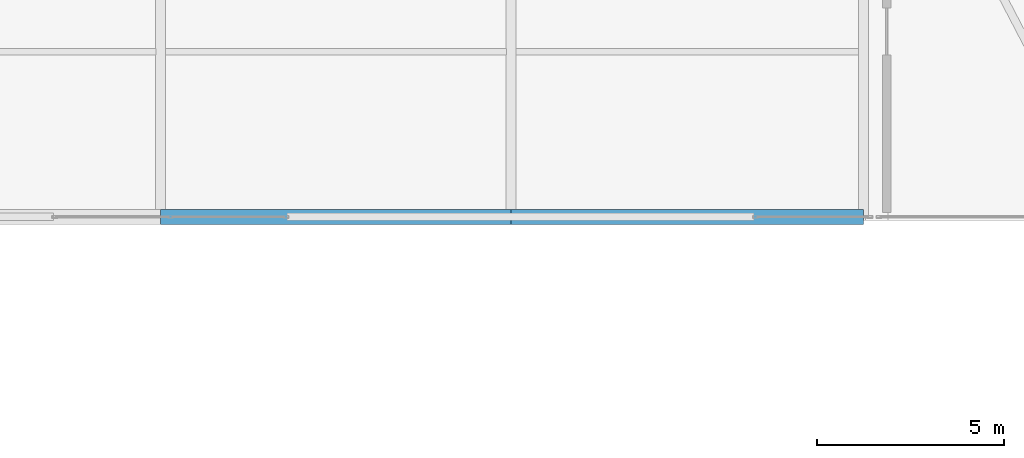
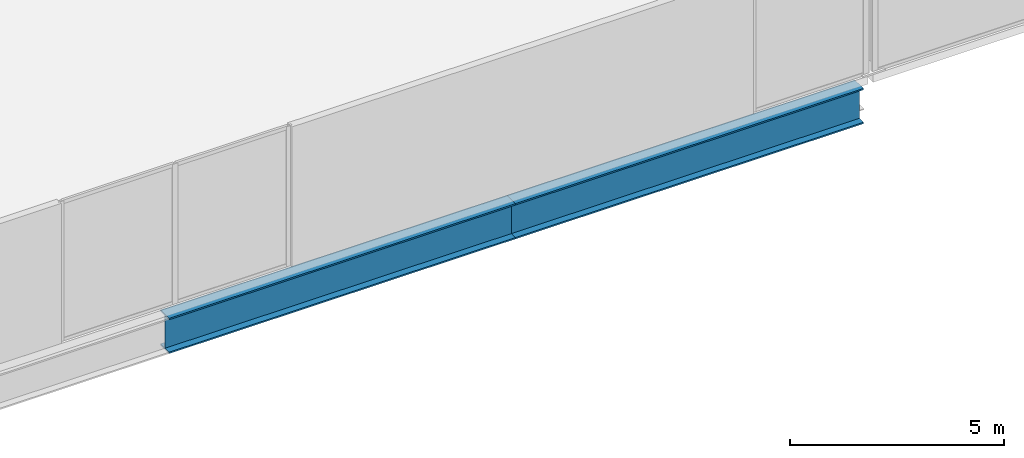
# One storey, part 20 of 51: 2 beams.
"""IFC4 building model written with IfcOpenShell, lengths in metres."""

from ifc_helpers import new_model, si_unit, direction, frame, origin, origin_2d, place, context, subcontext, project, spatial, i_section, extrude, material, material_profile, profile_set, type_object, element, save


model = new_model("IFC4")

# Units and contexts
model_context = context("Model", 3, precision=1e-05, world=origin(), true_north=direction((0.0, 1.0)))
body_context = subcontext(model_context, "Body", "Model", "MODEL_VIEW")
ifc_project = project(units=[si_unit("LENGTHUNIT", "METRE"), si_unit("AREAUNIT", "SQUARE_METRE"), si_unit("VOLUMEUNIT", "CUBIC_METRE"), si_unit("PLANEANGLEUNIT", "RADIAN"), si_unit("MASSUNIT", "GRAM", prefix="KILO")], contexts=[model_context])

# Site, building, storey
site_placement = place(None, origin())
site = spatial("IfcSite", under=ifc_project, at=site_placement, CompositionType="ELEMENT")
building_placement = place(site_placement, origin())
building = spatial("IfcBuilding", under=site, at=building_placement, Name="Tashvorn Skyway Center", CompositionType="ELEMENT")
storey_placement = place(building_placement, frame((0.0, 0.0, 251.39990234375)))
storey = spatial("IfcBuildingStorey", under=building, at=storey_placement, Name="L68", CompositionType="ELEMENT", Elevation=251.39990234375)

# Beams
ifc_material = material(Name="Steel ASTM A913 Grade 65", Category="steel")
ifc_material_profile = material_profile(ifc_material, i_section(OverallWidth=0.40087890625, OverallDepth=1.010986328125, WebThickness=0.023681640625, FlangeThickness=0.0419921875, at=origin_2d()), Name="W40X297")
ifc_profile_set = profile_set([ifc_material_profile], Name="Steel ASTM A913 Grade 65")
beam_type = type_object("IfcBeamType", Name="BM-BEAM-W40X297", PredefinedType="BEAM", material=ifc_profile_set)
beam_1_placement = place(storey_placement, frame((75.75, 24.10009765625, -0.725341796875), z_axis=(1.0, 0.0, 0.0), x_axis=(0.0, 1.0, 0.0)))
element("IfcBeam", 1, at=beam_1_placement, inside=storey, type_object=beam_type, Name="Sky-Park Truss 1 Bottom Chord Panel 08", PredefinedType="BEAM", context=body_context, shape_type="SweptSolid", body=[
    extrude(i_section(OverallWidth=0.40087890625, OverallDepth=1.010986328125, WebThickness=0.023681640625, FlangeThickness=0.0419921875, at=origin_2d()), origin(), (0.0, 0.0, 1.0), 9.35009765625),
])
beam_2_placement = place(storey_placement, frame((85.10009765625, 24.10009765625, -0.725341796875), z_axis=(1.0, 0.0, 0.0), x_axis=(0.0, 1.0, 0.0)))
element("IfcBeam", 2, at=beam_2_placement, inside=storey, type_object=beam_type, Name="Sky-Park Truss 1 Bottom Chord Panel 09", PredefinedType="BEAM", context=body_context, shape_type="SweptSolid", body=[
    extrude(i_section(OverallWidth=0.40087890625, OverallDepth=1.010986328125, WebThickness=0.023681640625, FlangeThickness=0.0419921875, at=origin_2d()), origin(), (0.0, 0.0, 1.0), 9.39990234375),
])

save(model, "model.ifc")
